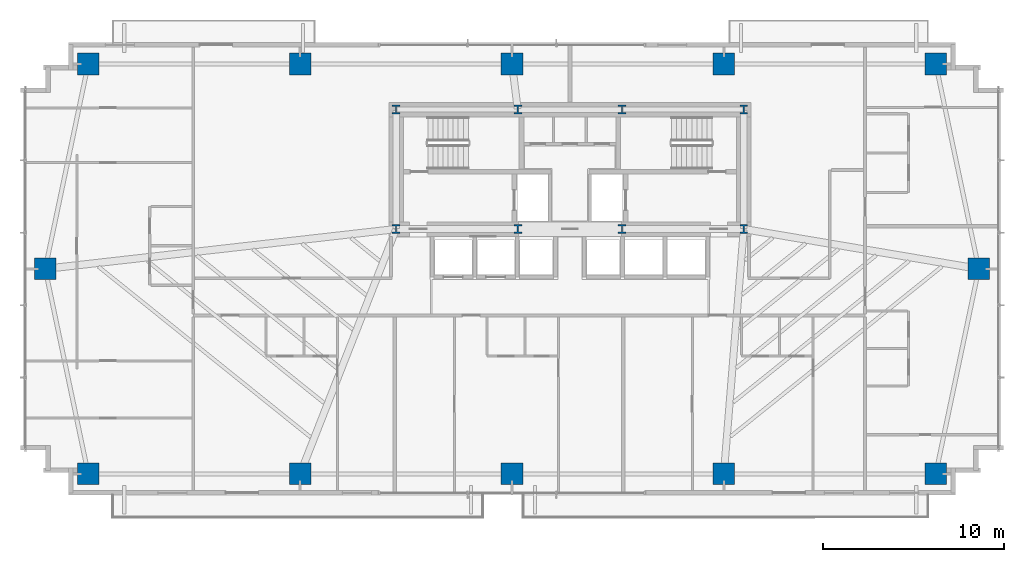
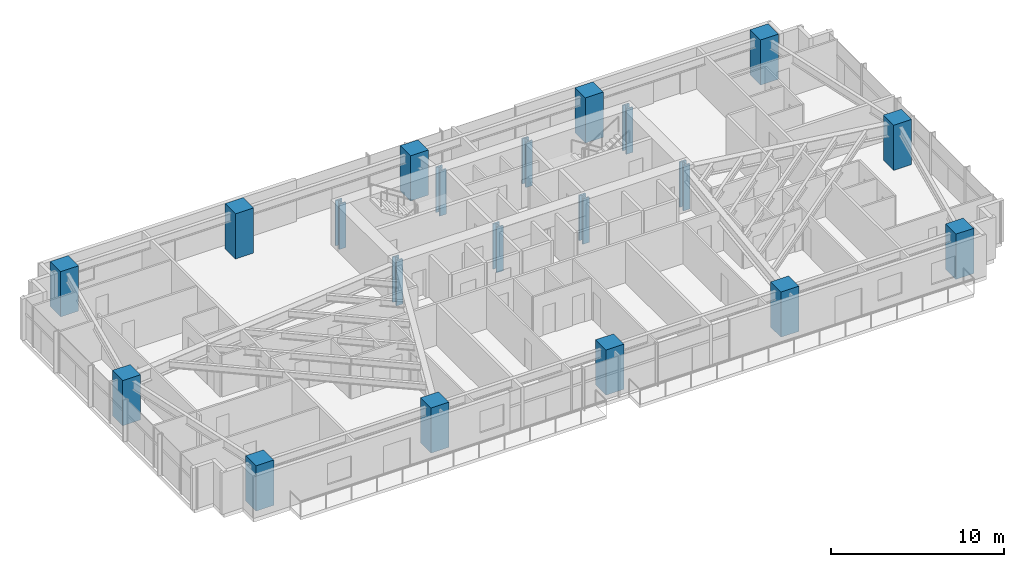
# One storey, part 1 of 25: 20 columns.
"""IFC4 building model written with IfcOpenShell, lengths in metres."""

from ifc_helpers import new_model, si_unit, direction, frame, origin, origin_2d, place, context, subcontext, project, spatial, rectangle, i_section, extrude, source, transform, mapped, material, material_profile, profile_set, type_object, type_shapes, element, save


model = new_model("IFC4")

# Units and contexts
model_context = context("Model", 3, precision=1e-05, world=origin(), true_north=direction((0.0, 1.0)))
body_context = subcontext(model_context, "Body", "Model", "MODEL_VIEW")
ifc_project = project(units=[si_unit("LENGTHUNIT", "METRE"), si_unit("AREAUNIT", "SQUARE_METRE"), si_unit("VOLUMEUNIT", "CUBIC_METRE"), si_unit("PLANEANGLEUNIT", "RADIAN"), si_unit("MASSUNIT", "GRAM", prefix="KILO")], contexts=[model_context])

# Site, building, storey
site_placement = place(None, origin())
site = spatial("IfcSite", under=ifc_project, at=site_placement, CompositionType="ELEMENT")
building_placement = place(site_placement, origin())
building = spatial("IfcBuilding", under=site, at=building_placement, Name="Astriad Promenade Condominiums", CompositionType="ELEMENT")
storey_placement = place(building_placement, frame((0.0, 0.0, 42.199951171875)))
storey = spatial("IfcBuildingStorey", under=building, at=storey_placement, Name="L11", CompositionType="ELEMENT", Elevation=42.199951171875)

# Columns
ifc_material_1 = material(Name="Steel ASTM A992 Grade 50", Category="steel")
ifc_material_profile_1 = material_profile(ifc_material_1, i_section(OverallWidth=0.43701171875, OverallDepth=0.51416015625, WebThickness=0.060546875, FlangeThickness=0.096923828125, FilletRadius=0.017822265625, at=origin_2d()), Name="W14X550")
ifc_profile_set_1 = profile_set([ifc_material_profile_1], Name="Steel ASTM A992 Grade 50")
column_type_1 = type_object("IfcColumnType", Name="STEEL CORE PILASTER W14X550", PredefinedType="PILASTER", material=ifc_profile_set_1)
shared_shape_1 = source(origin(), body_context, "Body", "SweptSolid", [
    extrude(i_section(OverallWidth=0.43701171875, OverallDepth=0.51416015625, WebThickness=0.060546875, FlangeThickness=0.096923828125, FilletRadius=0.017822265625, at=origin_2d()), origin(), (0.0, 0.0, 1.0), 3.196044921875),
])
type_shapes(column_type_1, [shared_shape_1])
for number, where, z_axis, x_axis, name in (
    (1, (26.39990234375, 17.39990234375, 0.001953125), (0.0, 0.0, 1.0), (1.0, 0.0, 0.0), "Core Pilaster Column CP1 (L11)"),
    (2, (33.1201171875, 17.39990234375, 0.001953125), (0.0, 0.0, 1.0), (1.0, 0.0, 0.0), "Core Pilaster Column CP2 (L11)"),
    (3, (38.8798828125, 17.39990234375, 0.001953125), (0.0, 0.0, 1.0), (1.0, 0.0, 0.0), "Core Pilaster Column CP3 (L11)"),
    (4, (45.60009765625, 17.39990234375, 0.001953125), (0.0, 0.0, 1.0), (1.0, 0.0, 0.0), "Core Pilaster Column CP4 (L11)"),
    (5, (26.39990234375, 24.0, 0.001953125), (0.0, 0.0, 1.0), (1.0, 0.0, 0.0), "Core Pilaster Column CP5 (L11)"),
    (6, (33.1201171875, 24.0, 0.001953125), (0.0, 0.0, 1.0), (1.0, 0.0, 0.0), "Core Pilaster Column CP6 (L11)"),
    (7, (38.8798828125, 24.0, 0.001953125), (0.0, 0.0, 1.0), (1.0, 0.0, 0.0), "Core Pilaster Column CP7 (L11)"),
    (8, (45.60009765625, 24.0, 0.001953125), (0.0, 0.0, 1.0), (1.0, 0.0, 0.0), "Core Pilaster Column CP8 (L11)"),
):
    element("IfcColumn", number, at=place(storey_placement, frame(where, z_axis=z_axis, x_axis=x_axis)), inside=storey, type_object=column_type_1, Name=name, PredefinedType="PILASTER", context=body_context, shape_type="MappedRepresentation", body=[
        mapped(shared_shape_1, transform((0.0, 0.0, 0.0), scale=1.0)),
    ])
ifc_material_2 = material(Name="Concrete C80/95", Category="concrete")
ifc_material_profile_2 = material_profile(ifc_material_2, rectangle(XDim=1.199951171875, YDim=1.199951171875, at=origin_2d()), Name="RC-COL-1200X1200")
ifc_profile_set_2 = profile_set([ifc_material_profile_2], Name="Concrete C80/95")
column_type_2 = type_object("IfcColumnType", Name="CONCRETE MEGA COLUMN 1200X1200", PredefinedType="COLUMN", material=ifc_profile_set_2)
shared_shape_2 = source(origin(), body_context, "Body", "SweptSolid", [
    extrude(rectangle(XDim=1.199951171875, YDim=1.199951171875, at=origin_2d()), origin(), (0.0, 0.0, 1.0), 3.196044921875),
])
type_shapes(column_type_2, [shared_shape_2])
for number, where, z_axis, x_axis, name in (
    (9, (9.39990234375, 3.8798828125, 0.001953125), (0.0, 0.0, 1.0), (1.0, 0.0, 0.0), "Perimeter Column PC01 (L11)"),
    (10, (21.10009765625, 3.8798828125, 0.001953125), (0.0, 0.0, 1.0), (1.0, 0.0, 0.0), "Perimeter Column PC02 (L11)"),
    (11, (32.800048828125, 3.8798828125, 0.001953125), (0.0, 0.0, 1.0), (1.0, 0.0, 0.0), "Perimeter Column PC03 (L11)"),
    (12, (44.5, 3.8798828125, 0.001953125), (0.0, 0.0, 1.0), (1.0, 0.0, 0.0), "Perimeter Column PC04 (L11)"),
    (13, (56.199951171875, 3.8798828125, 0.001953125), (0.0, 0.0, 1.0), (1.0, 0.0, 0.0), "Perimeter Column PC05 (L11)"),
    (14, (9.39990234375, 26.52001953125, 0.001953125), (0.0, 0.0, 1.0), (1.0, 0.0, 0.0), "Perimeter Column PC06 (L11)"),
    (15, (21.10009765625, 26.52001953125, 0.001953125), (0.0, 0.0, 1.0), (1.0, 0.0, 0.0), "Perimeter Column PC07 (L11)"),
    (16, (32.800048828125, 26.52001953125, 0.001953125), (0.0, 0.0, 1.0), (1.0, 0.0, 0.0), "Perimeter Column PC08 (L11)"),
    (17, (44.5, 26.52001953125, 0.001953125), (0.0, 0.0, 1.0), (1.0, 0.0, 0.0), "Perimeter Column PC09 (L11)"),
    (18, (56.199951171875, 26.52001953125, 0.001953125), (0.0, 0.0, 1.0), (1.0, 0.0, 0.0), "Perimeter Column PC10 (L11)"),
    (19, (7.02001953125, 15.199951171875, 0.001953125), (0.0, 0.0, 1.0), (1.0, 0.0, 0.0), "Perimeter Column PC11 (L11)"),
    (20, (58.580078125, 15.199951171875, 0.001953125), (0.0, 0.0, 1.0), (1.0, 0.0, 0.0), "Perimeter Column PC12 (L11)"),
):
    element("IfcColumn", number, at=place(storey_placement, frame(where, z_axis=z_axis, x_axis=x_axis)), inside=storey, type_object=column_type_2, Name=name, PredefinedType="COLUMN", context=body_context, shape_type="MappedRepresentation", body=[
        mapped(shared_shape_2, transform((0.0, 0.0, 0.0), scale=1.0)),
    ])

save(model, "model.ifc")
